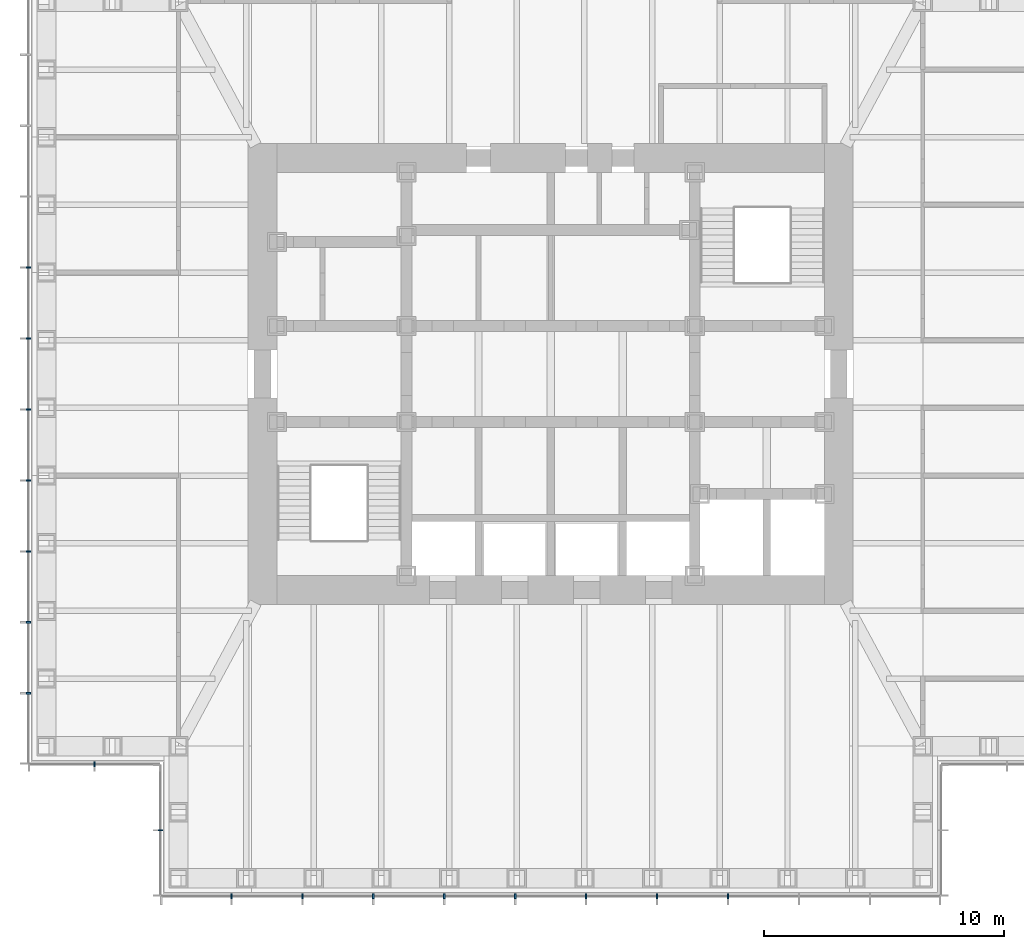
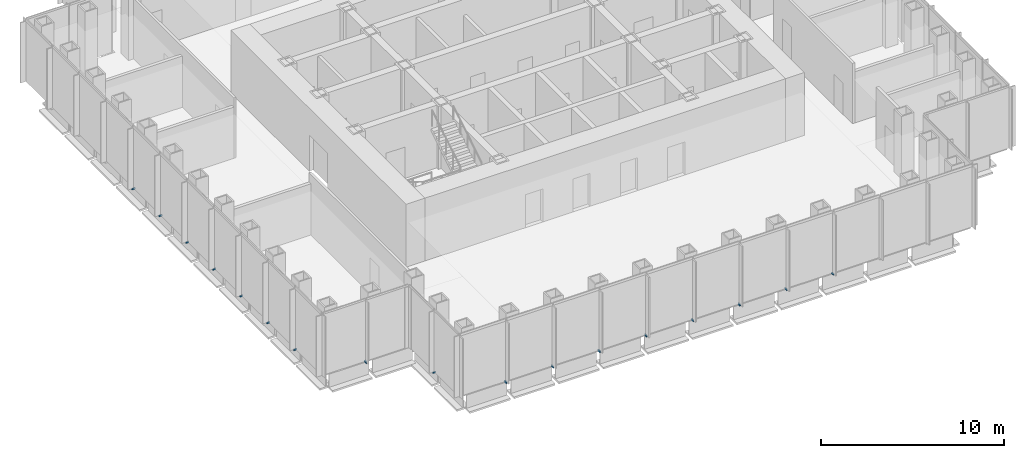
# One storey, part 11 of 16: 17 discrete accessories.
"""IFC4 building model written with IfcOpenShell, lengths in metres."""

from ifc_helpers import new_model, si_unit, direction, frame, origin, origin_2d, place, context, subcontext, project, spatial, rectangle, extrude, element, save


model = new_model("IFC4")

# Units and contexts
model_context = context("Model", 3, precision=1e-05, world=origin(), true_north=direction((0.0, 1.0)))
body_context = subcontext(model_context, "Body", "Model", "MODEL_VIEW")
ifc_project = project(units=[si_unit("LENGTHUNIT", "METRE"), si_unit("AREAUNIT", "SQUARE_METRE"), si_unit("VOLUMEUNIT", "CUBIC_METRE"), si_unit("PLANEANGLEUNIT", "RADIAN"), si_unit("MASSUNIT", "GRAM", prefix="KILO")], contexts=[model_context])

# Site, building, storey
site_placement = place(None, origin())
site = spatial("IfcSite", under=ifc_project, at=site_placement, CompositionType="ELEMENT")
building_placement = place(site_placement, origin())
building = spatial("IfcBuilding", under=site, at=building_placement, Name="Daluyong Arena Tower", CompositionType="ELEMENT")
storey_placement = place(building_placement, frame((0.0, 0.0, 214.89990234375)))
storey = spatial("IfcBuildingStorey", under=building, at=storey_placement, Name="L48", CompositionType="ELEMENT", Elevation=214.89990234375)

# Discrete accessories
for number, where, z_axis, x_axis, name in (
    (1, (42.70458984375, 58.25, -0.099853515625), (0.0, 0.0, 1.0), (1.0, 0.0, 0.0), "curtain wall L48 S anchor bracket 2"),
    (2, (45.6591796875, 58.25, -0.099853515625), (0.0, 0.0, 1.0), (1.0, 0.0, 0.0), "curtain wall L48 S anchor bracket 3"),
    (3, (48.613525390625, 58.25, -0.099853515625), (0.0, 0.0, 1.0), (1.0, 0.0, 0.0), "curtain wall L48 S anchor bracket 4"),
    (4, (51.568115234375, 58.25, -0.099853515625), (0.0, 0.0, 1.0), (1.0, 0.0, 0.0), "curtain wall L48 S anchor bracket 5"),
    (5, (54.522705078125, 58.25, -0.099853515625), (0.0, 0.0, 1.0), (1.0, 0.0, 0.0), "curtain wall L48 S anchor bracket 6"),
    (6, (57.477294921875, 58.25, -0.099853515625), (0.0, 0.0, 1.0), (1.0, 0.0, 0.0), "curtain wall L48 S anchor bracket 7"),
    (7, (60.431884765625, 58.25, -0.099853515625), (0.0, 0.0, 1.0), (1.0, 0.0, 0.0), "curtain wall L48 S anchor bracket 8"),
    (8, (63.386474609375, 58.25, -0.099853515625), (0.0, 0.0, 1.0), (1.0, 0.0, 0.0), "curtain wall L48 S anchor bracket 9"),
    (9, (34.25, 84.431884765625, -0.099853515625), (0.0, 0.0, 1.0), (0.0, -1.0, 0.0), "curtain wall L48 W anchor bracket 5"),
    (10, (34.25, 81.477294921875, -0.099853515625), (0.0, 0.0, 1.0), (0.0, -1.0, 0.0), "curtain wall L48 W anchor bracket 6"),
    (11, (34.25, 78.522705078125, -0.099853515625), (0.0, 0.0, 1.0), (0.0, -1.0, 0.0), "curtain wall L48 W anchor bracket 7"),
    (12, (34.25, 75.568115234375, -0.099853515625), (0.0, 0.0, 1.0), (0.0, -1.0, 0.0), "curtain wall L48 W anchor bracket 8"),
    (13, (34.25, 72.613525390625, -0.099853515625), (0.0, 0.0, 1.0), (0.0, -1.0, 0.0), "curtain wall L48 W anchor bracket 9"),
    (14, (34.25, 69.6591796875, -0.099853515625), (0.0, 0.0, 1.0), (0.0, -1.0, 0.0), "curtain wall L48 W anchor bracket 10"),
    (15, (34.25, 66.70458984375, -0.099853515625), (0.0, 0.0, 1.0), (0.0, -1.0, 0.0), "curtain wall L48 W anchor bracket 11"),
):
    element("IfcDiscreteAccessory", number, at=place(storey_placement, frame(where, z_axis=z_axis, x_axis=x_axis)), inside=storey, Name=name, PredefinedType="BRACKET", context=body_context, shape_type="SweptSolid", body=[
        extrude(rectangle(XDim=0.070068359375, YDim=0.199951171875, at=origin_2d()), origin(), (0.0, 0.0, 1.0), 0.10009765625),
    ])
for number, where, z_axis, x_axis, name in (
    (16, (37.0, 63.75, -0.099853515625), (0.0, 0.0, 1.0), (1.0, 0.0, 0.0), "curtain wall L48 SW-S anchor bracket 2"),
    (17, (39.75, 61.0, -0.099853515625), (0.0, 0.0, 1.0), (0.0, -1.0, 0.0), "curtain wall L48 SW-W anchor bracket 2"),
):
    element("IfcDiscreteAccessory", number, at=place(storey_placement, frame(where, z_axis=z_axis, x_axis=x_axis)), inside=storey, Name=name, PredefinedType="BRACKET", context=body_context, shape_type="SweptSolid", body=[
        extrude(rectangle(XDim=0.06005859375, YDim=0.199951171875, at=origin_2d()), origin(), (0.0, 0.0, 1.0), 0.10009765625),
    ])

save(model, "model.ifc")
